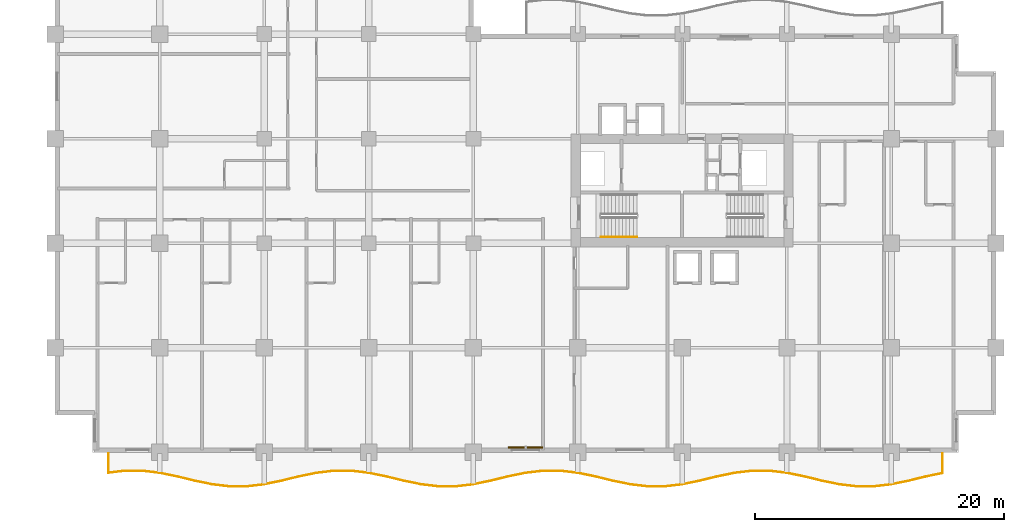
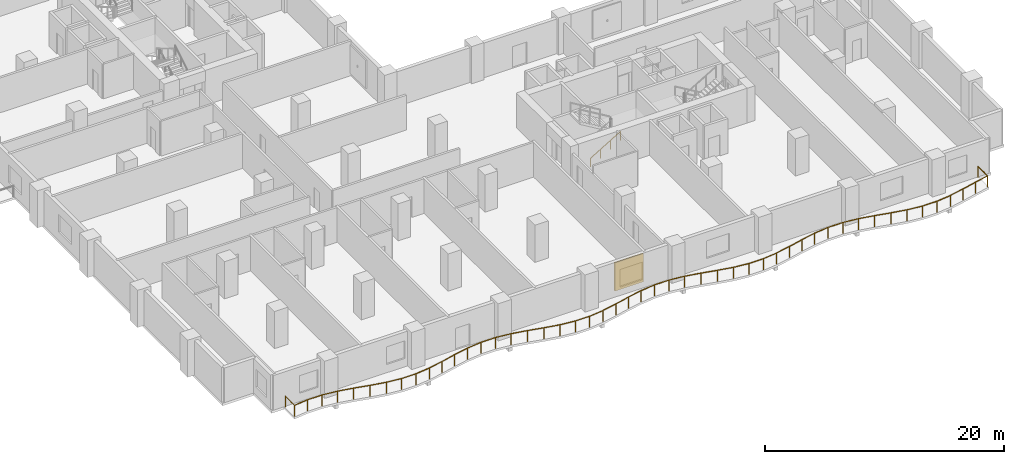
# One storey, part 15 of 18: 2 railings, 1 shading device.
"""IFC4 building model written with IfcOpenShell, lengths in metres."""

from ifc_helpers import new_model, si_unit, direction, frame, origin, origin_2d, place, context, subcontext, project, spatial, rectangle, circle, extrude, material, layer, layer_set, type_object, element, save


model = new_model("IFC4")

# Units and contexts
model_context = context("Model", 3, precision=1e-05, world=origin(), true_north=direction((0.0, 1.0)))
body_context = subcontext(model_context, "Body", "Model", "MODEL_VIEW")
ifc_project = project(units=[si_unit("LENGTHUNIT", "METRE"), si_unit("AREAUNIT", "SQUARE_METRE"), si_unit("VOLUMEUNIT", "CUBIC_METRE"), si_unit("PLANEANGLEUNIT", "RADIAN"), si_unit("MASSUNIT", "GRAM", prefix="KILO")], contexts=[model_context])

# Site, building, storey
site_placement = place(None, origin())
site = spatial("IfcSite", under=ifc_project, at=site_placement, CompositionType="ELEMENT")
building_placement = place(site_placement, origin())
building = spatial("IfcBuilding", under=site, at=building_placement, Name="Koriwani Terraces Tower", CompositionType="ELEMENT")
storey_placement = place(building_placement, frame((0.0, 0.0, 100.0)))
storey = spatial("IfcBuildingStorey", under=building, at=storey_placement, Name="L23", CompositionType="ELEMENT", Elevation=100.0)

# Railings
ifc_material_1 = material(Name="Steel ASTM A572 Grade 50", Category="steel")
railing_type_1 = type_object("IfcRailingType", Name="GUARD_BALUSTRADE_1150", PredefinedType="BALUSTRADE", material=ifc_material_1)
railing_1_placement = place(storey_placement, frame((4.280029296875, -0.080078125, 0.0)))
element("IfcRailing", 1, at=railing_1_placement, inside=storey, type_object=railing_type_1, Name="L23 Balcony Perimeter Safety Balustrade (S)", PredefinedType="BALUSTRADE", context=body_context, shape_type="SweptSolid", body=[
    extrude(circle(Radius=0.02392578125, at=origin_2d()), frame((0.0, 0.0, 1.1259765625), z_axis=(0.0, -1.0, 0.0), x_axis=(1.0, 0.0, 0.0)), (0.0, 0.0, 1.0), 1.570068359375),
    extrude(circle(Radius=0.02392578125, at=origin_2d()), frame((0.0, -1.570068359375, 1.1259765625), z_axis=(0.992886428773, 0.119065274362, 0.0), x_axis=(-0.119065274362, 0.992886428773, 0.0)), (0.0, 0.0, 1.0), 1.32470703125),
    extrude(circle(Radius=0.02392578125, at=origin_2d()), frame((1.315185546875, -1.412353515625, 1.1259765625), z_axis=(1.0, 0.0, 0.0), x_axis=(0.0, 1.0, 0.0)), (0.0, 0.0, 1.0), 1.40966796875),
    extrude(circle(Radius=0.02392578125, at=origin_2d()), frame((2.724853515625, -1.412353515625, 1.1259765625), z_axis=(0.992857273618, -0.119308148191, 0.0), x_axis=(0.119308148191, 0.992857273618, 0.0)), (0.0, 0.0, 1.0), 1.41796875),
    extrude(circle(Radius=0.02392578125, at=origin_2d()), frame((4.1328125, -1.58154296875, 1.1259765625), z_axis=(0.979066698056, -0.203539678581, 0.0), x_axis=(0.203539678581, 0.979066698056, 0.0)), (0.0, 0.0, 1.0), 1.4345703125),
    extrude(circle(Radius=0.02392578125, at=origin_2d()), frame((5.537353515625, -1.87353515625, 1.1259765625), z_axis=(0.972325709638, -0.233629438166, 0.0), x_axis=(0.233629438166, 0.972325709638, 0.0)), (0.0, 0.0, 1.0), 1.43994140625),
    extrude(circle(Radius=0.02392578125, at=origin_2d()), frame((6.9375, -2.2099609375, 1.1259765625), z_axis=(0.979001791719, -0.20385164167, 0.0), x_axis=(0.20385164167, 0.979001791719, 0.0)), (0.0, 0.0, 1.0), 1.42529296875),
    extrude(circle(Radius=0.02392578125, at=origin_2d()), frame((8.332763671875, -2.50048828125, 1.1259765625), z_axis=(0.992861175138, -0.119275676073, 0.0), x_axis=(0.119275676073, 0.992861175138, 0.0)), (0.0, 0.0, 1.0), 1.402099609375),
    extrude(circle(Radius=0.02392578125, at=origin_2d()), frame((9.724853515625, -2.667724609375, 1.1259765625), z_axis=(1.0, 0.0, 0.0), x_axis=(0.0, 1.0, 0.0)), (0.0, 0.0, 1.0), 1.390380859375),
    extrude(circle(Radius=0.02392578125, at=origin_2d()), frame((11.115234375, -2.667724609375, 1.1259765625), z_axis=(0.992858697273, 0.119296300234, 0.0), x_axis=(-0.119296300234, 0.992858697273, 0.0)), (0.0, 0.0, 1.0), 1.40185546875),
    extrude(circle(Radius=0.02392578125, at=origin_2d()), frame((12.507080078125, -2.50048828125, 1.1259765625), z_axis=(0.979008908546, 0.203817459967, 0.0), x_axis=(-0.203817459967, 0.979008908546, 0.0)), (0.0, 0.0, 1.0), 1.425537109375),
    extrude(circle(Radius=0.02392578125, at=origin_2d()), frame((13.902587890625, -2.2099609375, 1.1259765625), z_axis=(0.972316453264, 0.233667958249, 0.0), x_axis=(-0.233667958249, 0.972316453264, 0.0)), (0.0, 0.0, 1.0), 1.439697265625),
    extrude(circle(Radius=0.02392578125, at=origin_2d()), frame((15.302490234375, -1.87353515625, 1.1259765625), z_axis=(0.979066698056, 0.203539678581, 0.0), x_axis=(-0.203539678581, 0.979066698056, 0.0)), (0.0, 0.0, 1.0), 1.4345703125),
    extrude(circle(Radius=0.02392578125, at=origin_2d()), frame((16.70703125, -1.58154296875, 1.1259765625), z_axis=(0.992859723616, 0.119287758056, 0.0), x_axis=(-0.119287758056, 0.992859723616, 0.0)), (0.0, 0.0, 1.0), 1.418212890625),
    extrude(circle(Radius=0.02392578125, at=origin_2d()), frame((18.115234375, -1.412353515625, 1.1259765625), z_axis=(1.0, 0.0, 0.0), x_axis=(0.0, 1.0, 0.0)), (0.0, 0.0, 1.0), 1.409423828125),
    extrude(circle(Radius=0.02392578125, at=origin_2d()), frame((19.524658203125, -1.412353515625, 1.1259765625), z_axis=(0.992859723616, -0.119287758056, 0.0), x_axis=(0.119287758056, 0.992859723616, 0.0)), (0.0, 0.0, 1.0), 1.418212890625),
    extrude(circle(Radius=0.02392578125, at=origin_2d()), frame((20.932861328125, -1.58154296875, 1.1259765625), z_axis=(0.979066698056, -0.203539678581, 0.0), x_axis=(0.203539678581, 0.979066698056, 0.0)), (0.0, 0.0, 1.0), 1.4345703125),
    extrude(circle(Radius=0.02392578125, at=origin_2d()), frame((22.33740234375, -1.87353515625, 1.1259765625), z_axis=(0.972325709638, -0.233629438166, 0.0), x_axis=(0.233629438166, 0.972325709638, 0.0)), (0.0, 0.0, 1.0), 1.43994140625),
    extrude(circle(Radius=0.02392578125, at=origin_2d()), frame((23.737548828125, -2.2099609375, 1.1259765625), z_axis=(0.979001791719, -0.20385164167, 0.0), x_axis=(0.20385164167, 0.979001791719, 0.0)), (0.0, 0.0, 1.0), 1.42529296875),
    extrude(circle(Radius=0.02392578125, at=origin_2d()), frame((25.1328125, -2.50048828125, 1.1259765625), z_axis=(0.992858697273, -0.119296300234, 0.0), x_axis=(0.119296300234, 0.992858697273, 0.0)), (0.0, 0.0, 1.0), 1.40185546875),
    extrude(circle(Radius=0.02392578125, at=origin_2d()), frame((26.524658203125, -2.667724609375, 1.1259765625), z_axis=(1.0, 0.0, 0.0), x_axis=(0.0, 1.0, 0.0)), (0.0, 0.0, 1.0), 1.390625),
    extrude(circle(Radius=0.02392578125, at=origin_2d()), frame((27.915283203125, -2.667724609375, 1.1259765625), z_axis=(0.992858697273, 0.119296300234, 0.0), x_axis=(-0.119296300234, 0.992858697273, 0.0)), (0.0, 0.0, 1.0), 1.40185546875),
    extrude(circle(Radius=0.02392578125, at=origin_2d()), frame((29.30712890625, -2.50048828125, 1.1259765625), z_axis=(0.979001791719, 0.20385164167, 0.0), x_axis=(-0.20385164167, 0.979001791719, 0.0)), (0.0, 0.0, 1.0), 1.42529296875),
    extrude(circle(Radius=0.02392578125, at=origin_2d()), frame((30.702392578125, -2.2099609375, 1.1259765625), z_axis=(0.972325709638, 0.233629438166, 0.0), x_axis=(-0.233629438166, 0.972325709638, 0.0)), (0.0, 0.0, 1.0), 1.43994140625),
    extrude(circle(Radius=0.02392578125, at=origin_2d()), frame((32.1025390625, -1.87353515625, 1.1259765625), z_axis=(0.979066698056, 0.203539678581, 0.0), x_axis=(-0.203539678581, 0.979066698056, 0.0)), (0.0, 0.0, 1.0), 1.4345703125),
    extrude(circle(Radius=0.02392578125, at=origin_2d()), frame((33.507080078125, -1.58154296875, 1.1259765625), z_axis=(0.992859723616, 0.119287758056, 0.0), x_axis=(-0.119287758056, 0.992859723616, 0.0)), (0.0, 0.0, 1.0), 1.418212890625),
    extrude(circle(Radius=0.02392578125, at=origin_2d()), frame((34.915283203125, -1.412353515625, 1.1259765625), z_axis=(1.0, 0.0, 0.0), x_axis=(0.0, 1.0, 0.0)), (0.0, 0.0, 1.0), 1.409423828125),
    extrude(circle(Radius=0.02392578125, at=origin_2d()), frame((36.32470703125, -1.412353515625, 1.1259765625), z_axis=(0.992859723616, -0.119287758056, 0.0), x_axis=(0.119287758056, 0.992859723616, 0.0)), (0.0, 0.0, 1.0), 1.418212890625),
    extrude(circle(Radius=0.02392578125, at=origin_2d()), frame((37.73291015625, -1.58154296875, 1.1259765625), z_axis=(0.979066698056, -0.203539678581, 0.0), x_axis=(0.203539678581, 0.979066698056, 0.0)), (0.0, 0.0, 1.0), 1.4345703125),
    extrude(circle(Radius=0.02392578125, at=origin_2d()), frame((39.137451171875, -1.87353515625, 1.1259765625), z_axis=(0.972316453264, -0.233667958249, 0.0), x_axis=(0.233667958249, 0.972316453264, 0.0)), (0.0, 0.0, 1.0), 1.439697265625),
    extrude(circle(Radius=0.02392578125, at=origin_2d()), frame((40.537353515625, -2.2099609375, 1.1259765625), z_axis=(0.979008908546, -0.203817459967, 0.0), x_axis=(0.203817459967, 0.979008908546, 0.0)), (0.0, 0.0, 1.0), 1.425537109375),
    extrude(circle(Radius=0.02392578125, at=origin_2d()), frame((41.932861328125, -2.50048828125, 1.1259765625), z_axis=(0.992858697273, -0.119296300234, 0.0), x_axis=(0.119296300234, 0.992858697273, 0.0)), (0.0, 0.0, 1.0), 1.40185546875),
    extrude(circle(Radius=0.02392578125, at=origin_2d()), frame((43.32470703125, -2.667724609375, 1.1259765625), z_axis=(1.0, 0.0, 0.0), x_axis=(0.0, 1.0, 0.0)), (0.0, 0.0, 1.0), 1.390380859375),
    extrude(circle(Radius=0.02392578125, at=origin_2d()), frame((44.715087890625, -2.667724609375, 1.1259765625), z_axis=(0.992861175138, 0.119275676073, 0.0), x_axis=(-0.119275676073, 0.992861175138, 0.0)), (0.0, 0.0, 1.0), 1.402099609375),
    extrude(circle(Radius=0.02392578125, at=origin_2d()), frame((46.107177734375, -2.50048828125, 1.1259765625), z_axis=(0.979001791719, 0.20385164167, 0.0), x_axis=(-0.20385164167, 0.979001791719, 0.0)), (0.0, 0.0, 1.0), 1.42529296875),
    extrude(circle(Radius=0.02392578125, at=origin_2d()), frame((47.50244140625, -2.2099609375, 1.1259765625), z_axis=(0.972325709638, 0.233629438166, 0.0), x_axis=(-0.233629438166, 0.972325709638, 0.0)), (0.0, 0.0, 1.0), 1.43994140625),
    extrude(circle(Radius=0.02392578125, at=origin_2d()), frame((48.902587890625, -1.87353515625, 1.1259765625), z_axis=(0.979066698056, 0.203539678581, 0.0), x_axis=(-0.203539678581, 0.979066698056, 0.0)), (0.0, 0.0, 1.0), 1.4345703125),
    extrude(circle(Radius=0.02392578125, at=origin_2d()), frame((50.30712890625, -1.58154296875, 1.1259765625), z_axis=(0.992857273618, 0.119308148191, 0.0), x_axis=(-0.119308148191, 0.992857273618, 0.0)), (0.0, 0.0, 1.0), 1.41796875),
    extrude(circle(Radius=0.02392578125, at=origin_2d()), frame((51.715087890625, -1.412353515625, 1.1259765625), z_axis=(1.0, 0.0, 0.0), x_axis=(0.0, 1.0, 0.0)), (0.0, 0.0, 1.0), 1.40966796875),
    extrude(circle(Radius=0.02392578125, at=origin_2d()), frame((53.124755859375, -1.412353515625, 1.1259765625), z_axis=(0.992859723616, -0.119287758056, 0.0), x_axis=(0.119287758056, 0.992859723616, 0.0)), (0.0, 0.0, 1.0), 1.418212890625),
    extrude(circle(Radius=0.02392578125, at=origin_2d()), frame((54.532958984375, -1.58154296875, 1.1259765625), z_axis=(0.979066698056, -0.203539678581, 0.0), x_axis=(0.203539678581, 0.979066698056, 0.0)), (0.0, 0.0, 1.0), 1.4345703125),
    extrude(circle(Radius=0.02392578125, at=origin_2d()), frame((55.9375, -1.87353515625, 1.1259765625), z_axis=(0.972316453264, -0.233667958249, 0.0), x_axis=(0.233667958249, 0.972316453264, 0.0)), (0.0, 0.0, 1.0), 1.439697265625),
    extrude(circle(Radius=0.02392578125, at=origin_2d()), frame((57.33740234375, -2.2099609375, 1.1259765625), z_axis=(0.979008908546, -0.203817459967, 0.0), x_axis=(0.203817459967, 0.979008908546, 0.0)), (0.0, 0.0, 1.0), 1.425537109375),
    extrude(circle(Radius=0.02392578125, at=origin_2d()), frame((58.73291015625, -2.50048828125, 1.1259765625), z_axis=(0.992858697273, -0.119296300234, 0.0), x_axis=(0.119296300234, 0.992858697273, 0.0)), (0.0, 0.0, 1.0), 1.40185546875),
    extrude(circle(Radius=0.02392578125, at=origin_2d()), frame((60.124755859375, -2.667724609375, 1.1259765625), z_axis=(1.0, 0.0, 0.0), x_axis=(0.0, 1.0, 0.0)), (0.0, 0.0, 1.0), 1.390380859375),
    extrude(circle(Radius=0.02392578125, at=origin_2d()), frame((61.51513671875, -2.667724609375, 1.1259765625), z_axis=(0.992858697273, 0.119296300234, 0.0), x_axis=(-0.119296300234, 0.992858697273, 0.0)), (0.0, 0.0, 1.0), 1.40185546875),
    extrude(circle(Radius=0.02392578125, at=origin_2d()), frame((62.906982421875, -2.50048828125, 1.1259765625), z_axis=(0.979008908546, 0.203817459967, 0.0), x_axis=(-0.203817459967, 0.979008908546, 0.0)), (0.0, 0.0, 1.0), 1.425537109375),
    extrude(circle(Radius=0.02392578125, at=origin_2d()), frame((64.302490234375, -2.2099609375, 1.1259765625), z_axis=(0.972316453264, 0.233667958249, 0.0), x_axis=(-0.233667958249, 0.972316453264, 0.0)), (0.0, 0.0, 1.0), 1.439697265625),
    extrude(circle(Radius=0.02392578125, at=origin_2d()), frame((65.702392578125, -1.87353515625, 1.1259765625), z_axis=(0.979032418543, 0.203704500299, 0.0), x_axis=(-0.203704500299, 0.979032418543, 0.0)), (0.0, 0.0, 1.0), 1.3662109375),
    extrude(circle(Radius=0.02392578125, at=origin_2d()), frame((67.0400390625, -1.59521484375, 1.1259765625), z_axis=(0.0, 1.0, 0.0), x_axis=(-1.0, 0.0, 0.0)), (0.0, 0.0, 1.0), 1.59521484375),
    extrude(circle(Radius=0.02099609375, at=origin_2d()), origin(), (0.0, 0.0, 1.0), 1.101806640625),
    extrude(circle(Radius=0.02099609375, at=origin_2d()), frame((0.0, -1.570068359375, 0.0)), (0.0, 0.0, 1.0), 1.101806640625),
    extrude(circle(Radius=0.02099609375, at=origin_2d()), frame((1.315185546875, -1.412353515625, 0.0)), (0.0, 0.0, 1.0), 1.101806640625),
    extrude(circle(Radius=0.02099609375, at=origin_2d()), frame((2.724853515625, -1.412353515625, 0.0)), (0.0, 0.0, 1.0), 1.101806640625),
    extrude(circle(Radius=0.02099609375, at=origin_2d()), frame((4.1328125, -1.58154296875, 0.0)), (0.0, 0.0, 1.0), 1.101806640625),
    extrude(circle(Radius=0.02099609375, at=origin_2d()), frame((5.537353515625, -1.87353515625, 0.0)), (0.0, 0.0, 1.0), 1.101806640625),
    extrude(circle(Radius=0.02099609375, at=origin_2d()), frame((6.9375, -2.2099609375, 0.0)), (0.0, 0.0, 1.0), 1.101806640625),
    extrude(circle(Radius=0.02099609375, at=origin_2d()), frame((8.332763671875, -2.50048828125, 0.0)), (0.0, 0.0, 1.0), 1.101806640625),
    extrude(circle(Radius=0.02099609375, at=origin_2d()), frame((9.724853515625, -2.667724609375, 0.0)), (0.0, 0.0, 1.0), 1.101806640625),
    extrude(circle(Radius=0.02099609375, at=origin_2d()), frame((11.115234375, -2.667724609375, 0.0)), (0.0, 0.0, 1.0), 1.101806640625),
    extrude(circle(Radius=0.02099609375, at=origin_2d()), frame((12.507080078125, -2.50048828125, 0.0)), (0.0, 0.0, 1.0), 1.101806640625),
    extrude(circle(Radius=0.02099609375, at=origin_2d()), frame((13.902587890625, -2.2099609375, 0.0)), (0.0, 0.0, 1.0), 1.101806640625),
    extrude(circle(Radius=0.02099609375, at=origin_2d()), frame((15.302490234375, -1.87353515625, 0.0)), (0.0, 0.0, 1.0), 1.101806640625),
    extrude(circle(Radius=0.02099609375, at=origin_2d()), frame((16.70703125, -1.58154296875, 0.0)), (0.0, 0.0, 1.0), 1.101806640625),
    extrude(circle(Radius=0.02099609375, at=origin_2d()), frame((18.115234375, -1.412353515625, 0.0)), (0.0, 0.0, 1.0), 1.101806640625),
    extrude(circle(Radius=0.02099609375, at=origin_2d()), frame((19.524658203125, -1.412353515625, 0.0)), (0.0, 0.0, 1.0), 1.101806640625),
    extrude(circle(Radius=0.02099609375, at=origin_2d()), frame((20.932861328125, -1.58154296875, 0.0)), (0.0, 0.0, 1.0), 1.101806640625),
    extrude(circle(Radius=0.02099609375, at=origin_2d()), frame((22.33740234375, -1.87353515625, 0.0)), (0.0, 0.0, 1.0), 1.101806640625),
    extrude(circle(Radius=0.02099609375, at=origin_2d()), frame((23.737548828125, -2.2099609375, 0.0)), (0.0, 0.0, 1.0), 1.101806640625),
    extrude(circle(Radius=0.02099609375, at=origin_2d()), frame((25.1328125, -2.50048828125, 0.0)), (0.0, 0.0, 1.0), 1.101806640625),
    extrude(circle(Radius=0.02099609375, at=origin_2d()), frame((26.524658203125, -2.667724609375, 0.0)), (0.0, 0.0, 1.0), 1.101806640625),
    extrude(circle(Radius=0.02099609375, at=origin_2d()), frame((27.915283203125, -2.667724609375, 0.0)), (0.0, 0.0, 1.0), 1.101806640625),
    extrude(circle(Radius=0.02099609375, at=origin_2d()), frame((29.30712890625, -2.50048828125, 0.0)), (0.0, 0.0, 1.0), 1.101806640625),
    extrude(circle(Radius=0.02099609375, at=origin_2d()), frame((30.702392578125, -2.2099609375, 0.0)), (0.0, 0.0, 1.0), 1.101806640625),
    extrude(circle(Radius=0.02099609375, at=origin_2d()), frame((32.1025390625, -1.87353515625, 0.0)), (0.0, 0.0, 1.0), 1.101806640625),
    extrude(circle(Radius=0.02099609375, at=origin_2d()), frame((33.507080078125, -1.58154296875, 0.0)), (0.0, 0.0, 1.0), 1.101806640625),
    extrude(circle(Radius=0.02099609375, at=origin_2d()), frame((34.915283203125, -1.412353515625, 0.0)), (0.0, 0.0, 1.0), 1.101806640625),
    extrude(circle(Radius=0.02099609375, at=origin_2d()), frame((36.32470703125, -1.412353515625, 0.0)), (0.0, 0.0, 1.0), 1.101806640625),
    extrude(circle(Radius=0.02099609375, at=origin_2d()), frame((37.73291015625, -1.58154296875, 0.0)), (0.0, 0.0, 1.0), 1.101806640625),
    extrude(circle(Radius=0.02099609375, at=origin_2d()), frame((39.137451171875, -1.87353515625, 0.0)), (0.0, 0.0, 1.0), 1.101806640625),
    extrude(circle(Radius=0.02099609375, at=origin_2d()), frame((40.537353515625, -2.2099609375, 0.0)), (0.0, 0.0, 1.0), 1.101806640625),
    extrude(circle(Radius=0.02099609375, at=origin_2d()), frame((41.932861328125, -2.50048828125, 0.0)), (0.0, 0.0, 1.0), 1.101806640625),
    extrude(circle(Radius=0.02099609375, at=origin_2d()), frame((43.32470703125, -2.667724609375, 0.0)), (0.0, 0.0, 1.0), 1.101806640625),
    extrude(circle(Radius=0.02099609375, at=origin_2d()), frame((44.715087890625, -2.667724609375, 0.0)), (0.0, 0.0, 1.0), 1.101806640625),
    extrude(circle(Radius=0.02099609375, at=origin_2d()), frame((46.107177734375, -2.50048828125, 0.0)), (0.0, 0.0, 1.0), 1.101806640625),
    extrude(circle(Radius=0.02099609375, at=origin_2d()), frame((47.50244140625, -2.2099609375, 0.0)), (0.0, 0.0, 1.0), 1.101806640625),
    extrude(circle(Radius=0.02099609375, at=origin_2d()), frame((48.902587890625, -1.87353515625, 0.0)), (0.0, 0.0, 1.0), 1.101806640625),
    extrude(circle(Radius=0.02099609375, at=origin_2d()), frame((50.30712890625, -1.58154296875, 0.0)), (0.0, 0.0, 1.0), 1.101806640625),
    extrude(circle(Radius=0.02099609375, at=origin_2d()), frame((51.715087890625, -1.412353515625, 0.0)), (0.0, 0.0, 1.0), 1.101806640625),
    extrude(circle(Radius=0.02099609375, at=origin_2d()), frame((53.124755859375, -1.412353515625, 0.0)), (0.0, 0.0, 1.0), 1.101806640625),
    extrude(circle(Radius=0.02099609375, at=origin_2d()), frame((54.532958984375, -1.58154296875, 0.0)), (0.0, 0.0, 1.0), 1.101806640625),
    extrude(circle(Radius=0.02099609375, at=origin_2d()), frame((55.9375, -1.87353515625, 0.0)), (0.0, 0.0, 1.0), 1.101806640625),
    extrude(circle(Radius=0.02099609375, at=origin_2d()), frame((57.33740234375, -2.2099609375, 0.0)), (0.0, 0.0, 1.0), 1.101806640625),
    extrude(circle(Radius=0.02099609375, at=origin_2d()), frame((58.73291015625, -2.50048828125, 0.0)), (0.0, 0.0, 1.0), 1.101806640625),
    extrude(circle(Radius=0.02099609375, at=origin_2d()), frame((60.124755859375, -2.667724609375, 0.0)), (0.0, 0.0, 1.0), 1.101806640625),
    extrude(circle(Radius=0.02099609375, at=origin_2d()), frame((61.51513671875, -2.667724609375, 0.0)), (0.0, 0.0, 1.0), 1.101806640625),
    extrude(circle(Radius=0.02099609375, at=origin_2d()), frame((62.906982421875, -2.50048828125, 0.0)), (0.0, 0.0, 1.0), 1.101806640625),
    extrude(circle(Radius=0.02099609375, at=origin_2d()), frame((64.302490234375, -2.2099609375, 0.0)), (0.0, 0.0, 1.0), 1.101806640625),
    extrude(circle(Radius=0.02099609375, at=origin_2d()), frame((65.702392578125, -1.87353515625, 0.0)), (0.0, 0.0, 1.0), 1.101806640625),
    extrude(circle(Radius=0.02099609375, at=origin_2d()), frame((67.0400390625, -1.59521484375, 0.0)), (0.0, 0.0, 1.0), 1.101806640625),
    extrude(circle(Radius=0.02099609375, at=origin_2d()), frame((67.0400390625, 0.0, 0.0)), (0.0, 0.0, 1.0), 1.101806640625),
])
railing_type_2 = type_object("IfcRailingType", Name="HANDRAIL_STAIR_920", PredefinedType="HANDRAIL", material=ifc_material_1)
railing_2_placement = place(storey_placement, frame((43.85009765625, 17.300048828125, 0.172607421875)))
element("IfcRailing", 2, at=railing_2_placement, inside=storey, type_object=railing_type_2, Name="L23 ST-E1 stair handrail 1", PredefinedType="HANDRAIL", context=body_context, shape_type="SweptSolid", body=[
    extrude(circle(Radius=0.02392578125, at=origin_2d()), frame((0.0, 0.0, 0.8759765625), z_axis=(0.859141464434, 0.0, 0.511738159696), x_axis=(0.0, 1.0, 0.0)), (0.0, 0.0, 1.0), 3.375244140625),
    extrude(circle(Radius=0.02099609375, at=origin_2d()), origin(), (0.0, 0.0, 1.0), 0.851806640625),
    extrude(circle(Radius=0.02099609375, at=origin_2d()), frame((0.966552734375, 0.0, 0.57568359375)), (0.0, 0.0, 1.0), 0.851806640625),
    extrude(circle(Radius=0.02099609375, at=origin_2d()), frame((1.933349609375, 0.0, 1.151611328125)), (0.0, 0.0, 1.0), 0.851806640625),
    extrude(circle(Radius=0.02099609375, at=origin_2d()), frame((2.89990234375, 0.0, 1.727294921875)), (0.0, 0.0, 1.0), 0.851806640625),
])

# Shading device
ifc_material_2 = material(Name="Extruded Terracotta Clay", Category="masonry")
ifc_layer = layer(ifc_material_2, 0.1201171875, Name="Extruded Terracotta Clay")
ifc_layer_set = layer_set([ifc_layer], Name="Extruded Terracotta Clay")
shading_device_type = type_object("IfcShadingDeviceType", Name="TERRACOTTA_BAGUETTE_SCREEN_2800", PredefinedType="USERDEFINED", material=ifc_layer_set)
shading_device_placement = place(storey_placement, frame((37.800048828125, 0.405029296875, 0.324951171875), z_axis=(0.0, 0.0, 1.0), x_axis=(-1.0, 0.0, 0.0)))
element("IfcShadingDevice", 3, at=shading_device_placement, inside=storey, type_object=shading_device_type, Name="L23 Extruded Terracotta Baguette Screen (S-12)", ObjectType="BAGUETTE", PredefinedType="USERDEFINED", context=body_context, shape_type="SweptSolid", body=[
    extrude(rectangle(XDim=2.760009765625, YDim=0.1201171875, at=origin_2d()), origin(), (0.0, 0.0, 1.0), 2.89990234375),
])

save(model, "model.ifc")
